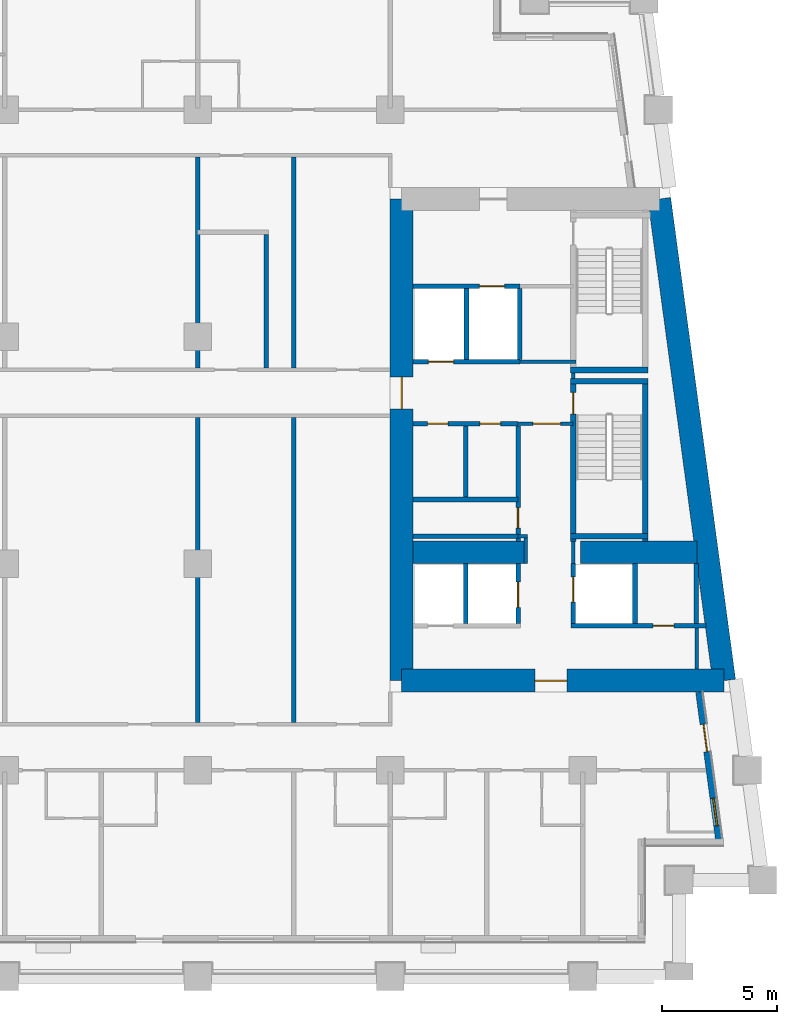
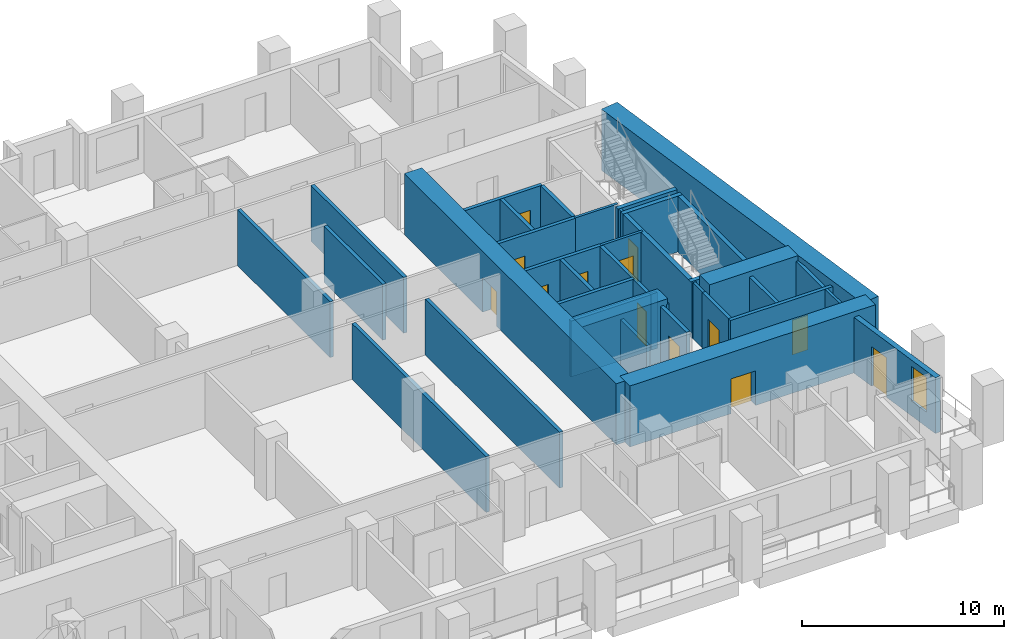
# One storey, part 5 of 13: 38 walls, 13 doors, 1 window, 14 openings.
"""IFC4 building model written with IfcOpenShell, lengths in metres."""

import ifcopenshell
import ifcopenshell.guid

model = None  # the IFC model being written
_history = None  # IfcOwnerHistory: only IFC2X3 demands one
_inside = {}  # id of a spatial element -> (the spatial element, [elements in it])
_under = {}  # id of a project, library or spatial element -> (it, [spatial elements below it])
_declared = {}  # id of a project -> (the project, [libraries it declares])
_typed = {}  # id of a type object -> (the type object, [elements of that type])
_made_of = {}  # id of a material, layer set ... -> (it, [elements and type objects made of it])


def new_model(schema):
    """Start an empty IFC model of exactly this schema.

    Asked for "IFC4X3", IfcOpenShell would pick the latest addendum, in which some entities
    have other attributes; the version numbers below select the first issue.
    IFC2X3 requires an IfcOwnerHistory on every rooted entity: one is made here for all.
    """
    global model, _history
    if schema == "IFC4X3":
        model = ifcopenshell.file(schema_version=(4, 3, 0, 0))
    else:
        model = ifcopenshell.file(schema=schema)
    _inside.clear()
    _under.clear()
    _declared.clear()
    _typed.clear()
    _made_of.clear()
    _history = None
    if model.schema == "IFC2X3":
        org = make("IfcOrganization", Name="unknown")
        user = make(
            "IfcPersonAndOrganization",
            ThePerson=make("IfcPerson", FamilyName="unknown"),
            TheOrganization=org,
        )
        app = make(
            "IfcApplication",
            ApplicationDeveloper=org,
            Version="unknown",
            ApplicationFullName="unknown",
            ApplicationIdentifier="unknown",
        )
        _history = make(
            "IfcOwnerHistory",
            OwningUser=user,
            OwningApplication=app,
            ChangeAction="ADDED",
            CreationDate=0,
        )
    return model


def make(cls, **values):
    """One entity of the class cls with the attributes given. An attribute that is None is left unset."""
    return model.create_entity(
        cls, **{name: value for name, value in values.items() if value is not None}
    )


def rooted(cls, **values):
    """An entity with a GlobalId (a new one), such as an element, a storey or a relation."""
    return make(cls, GlobalId=ifcopenshell.guid.new(), OwnerHistory=_history, **values)


def si_unit(unit_type, name, prefix=None):
    """IfcSIUnit, for example si_unit("LENGTHUNIT", "METRE", prefix="MILLI")."""
    return make("IfcSIUnit", UnitType=unit_type, Prefix=prefix, Name=name)


def assignment(units):
    """IfcUnitAssignment: the units of a project."""
    return None if units is None else make("IfcUnitAssignment", Units=units)


def point(xyz):
    """IfcCartesianPoint."""
    return None if xyz is None else make("IfcCartesianPoint", Coordinates=xyz)


def direction(xyz):
    """IfcDirection."""
    return None if xyz is None else make("IfcDirection", DirectionRatios=xyz)


def frame(location, z_axis=None, x_axis=None):
    """IfcAxis2Placement3D, a coordinate frame: its origin and axes. An axis left out is left unset."""
    return make(
        "IfcAxis2Placement3D",
        Location=point(location),
        Axis=direction(z_axis),
        RefDirection=direction(x_axis),
    )


def frame_2d(location, x_axis=None):
    """IfcAxis2Placement2D, a coordinate frame in the plane: its origin and x axis."""
    return make(
        "IfcAxis2Placement2D", Location=point(location), RefDirection=direction(x_axis)
    )


def origin():
    """The frame at (0, 0, 0) with its axes left unset."""
    return frame((0.0, 0.0, 0.0))


def place(relative_to, where):
    """IfcLocalPlacement: puts the frame where relative to a parent placement (None: the world)."""
    return make(
        "IfcLocalPlacement", PlacementRelTo=relative_to, RelativePlacement=where
    )


def context(
    kind, dimensions, precision=None, world=None, true_north=None, identifier=None
):
    """IfcGeometricRepresentationContext, for example the 3D "Model" context."""
    return make(
        "IfcGeometricRepresentationContext",
        ContextIdentifier=identifier,
        ContextType=kind,
        CoordinateSpaceDimension=dimensions,
        Precision=precision,
        WorldCoordinateSystem=world,
        TrueNorth=true_north,
    )


def subcontext(parent, identifier, kind, view, scale=None):
    """IfcGeometricRepresentationSubContext, for example "Body" below "Model"."""
    return make(
        "IfcGeometricRepresentationSubContext",
        ContextIdentifier=identifier,
        ContextType=kind,
        ParentContext=parent,
        TargetScale=scale,
        TargetView=view,
    )


def project(units=None, contexts=None):
    """IfcProject with its units and contexts."""
    return rooted(
        "IfcProject",
        Name="project",
        RepresentationContexts=contexts,
        UnitsInContext=assignment(units),
    )


def spatial(cls, under=None, at=None, **own):
    """A site, building, storey or space (cls), placed at a placement, below another one or the project."""
    s = rooted(cls, ObjectPlacement=at, **own)
    if under is not None:
        _under.setdefault(under.id(), (under, []))[1].append(s)
    return s


def profile(cls, at=None, kind="AREA", **sizes):
    """A parametric profile (cls). Its sizes go by their IFC names, for example OverallWidth=200.0."""
    return make(cls, ProfileType=kind, Position=at, **sizes)


def rectangle(**sizes):
    """IfcRectangleProfileDef."""
    return profile("IfcRectangleProfileDef", **sizes)


def extrude(swept, where, along, depth):
    """IfcExtrudedAreaSolid: the profile swept, set in the frame where, extruded along a direction by depth."""
    return make(
        "IfcExtrudedAreaSolid",
        SweptArea=swept,
        Position=where,
        ExtrudedDirection=direction(along),
        Depth=depth,
    )


def shape(context_of_items, identifier, shape_type, items):
    """IfcShapeRepresentation: the items that make up one representation, for example the "Body"."""
    return make(
        "IfcShapeRepresentation",
        ContextOfItems=context_of_items,
        RepresentationIdentifier=identifier,
        RepresentationType=shape_type,
        Items=items,
    )


def material(Name=None, Category=None):
    """IfcMaterial."""
    return make("IfcMaterial", Name=Name, Category=Category)


def layer(
    of_material, thickness, ventilated=None, Name=None, Category=None, Priority=None
):
    """IfcMaterialLayer: one layer of a wall or slab, of a material (None: an air gap)."""
    return make(
        "IfcMaterialLayer",
        Material=of_material,
        LayerThickness=thickness,
        IsVentilated=ventilated,
        Name=Name,
        Category=Category,
        Priority=Priority,
    )


def layer_set(layers, Name=None):
    """IfcMaterialLayerSet."""
    return make("IfcMaterialLayerSet", MaterialLayers=layers, LayerSetName=Name)


def made_of(thing, what):
    """Note that an element or type object is made of a material, layer set ...; save() writes the relation."""
    if what is not None:
        _made_of.setdefault(what.id(), (what, []))[1].append(thing)
    return thing


def type_object(cls, material=None, **own):
    """A type object (cls), such as IfcWallType, which elements share."""
    return made_of(rooted(cls, **own), material)


def element(
    cls,
    number,
    at=None,
    inside=None,
    cuts=None,
    type_object=None,
    material=None,
    context=None,
    identifier="Body",
    shape_type=None,
    held_by="IfcProductDefinitionShape",
    body=None,
    shapes=None,
    **own,
):
    """One element of the class cls, such as IfcWall. Its Tag is "e" and its number.

    at: its placement. inside: the storey or other place that contains it. cuts: it is an
    opening in that element (IfcRelVoidsElement). A single representation is given by context,
    identifier, shape_type and body (its items); several are given by shapes. held_by: the class
    of the entity that holds the representations. save() writes the other relations.
    """
    e = rooted(cls, Tag="e%d" % number, ObjectPlacement=at, **own)
    if body is not None:
        shapes = [shape(context, identifier, shape_type, body)]
    if shapes is not None:
        e.Representation = make(held_by, Representations=shapes)
    if inside is not None:
        _inside.setdefault(inside.id(), (inside, []))[1].append(e)
    if cuts is not None:
        rooted(
            "IfcRelVoidsElement", RelatingBuildingElement=cuts, RelatedOpeningElement=e
        )
    if type_object is not None:
        _typed.setdefault(type_object.id(), (type_object, []))[1].append(e)
    return made_of(e, material)


def fill(opening, filler):
    """IfcRelFillsElement: the door or window that sits in an opening."""
    return rooted(
        "IfcRelFillsElement",
        RelatingOpeningElement=opening,
        RelatedBuildingElement=filler,
    )


def aggregate(whole, parts):
    """IfcRelAggregates: a whole, such as a stair, and the parts it consists of."""
    return rooted("IfcRelAggregates", RelatingObject=whole, RelatedObjects=parts)


def save(model, path):
    """Write the relations noted so far, then the file.

    IfcRelAggregates (storeys below a building ...), IfcRelContainedInSpatialStructure (elements
    in a storey), IfcRelDefinesByType, IfcRelAssociatesMaterial and IfcRelDeclares: one each for
    every whole, place, type object, material and project.
    """
    for whole, parts in _under.values():
        aggregate(whole, parts)
    for where, things in _inside.values():
        rooted(
            "IfcRelContainedInSpatialStructure",
            RelatedElements=things,
            RelatingStructure=where,
        )
    for kind, things in _typed.values():
        rooted("IfcRelDefinesByType", RelatedObjects=things, RelatingType=kind)
    for what, things in _made_of.values():
        rooted("IfcRelAssociatesMaterial", RelatedObjects=things, RelatingMaterial=what)
    for by, libraries in _declared.values():
        rooted("IfcRelDeclares", RelatingContext=by, RelatedDefinitions=libraries)
    model.write(path)


model = new_model("IFC4")

# Units and contexts
model_context = context("Model", 3, precision=1e-05, world=origin(), true_north=direction((0.0, 1.0)))
body_context = subcontext(model_context, "Body", "Model", "MODEL_VIEW")
ifc_project = project(units=[si_unit("LENGTHUNIT", "METRE"), si_unit("AREAUNIT", "SQUARE_METRE"), si_unit("VOLUMEUNIT", "CUBIC_METRE"), si_unit("PLANEANGLEUNIT", "RADIAN"), si_unit("MASSUNIT", "GRAM", prefix="KILO")], contexts=[model_context])

# Site, building, storey
site_placement = place(None, origin())
site = spatial("IfcSite", under=ifc_project, at=site_placement, CompositionType="ELEMENT")
building_placement = place(site_placement, origin())
building = spatial("IfcBuilding", under=site, at=building_placement, Name="Candeia Pilgrim Tower and Theatre", CompositionType="ELEMENT")
storey_placement = place(building_placement, frame((0.0, 0.0, 128.0)))
storey = spatial("IfcBuildingStorey", under=building, at=storey_placement, Name="L30", CompositionType="ELEMENT", Elevation=128.0)

# Wall
ifc_material_1 = material(Name="Concrete C70/85", Category="concrete")
ifc_layer_1 = layer(ifc_material_1, 1.0)
ifc_layer_set_1 = layer_set([ifc_layer_1], Name="Core wall 1000 C70/85")
wall_type_1 = type_object("IfcWallType", Name="Core wall 1000 C70/85", PredefinedType="SHEAR", material=ifc_layer_set_1)
wall_1_placement = place(storey_placement, frame((137.73193359375, 131.89990234375, 0.0), z_axis=(0.0, 0.0, 1.0), x_axis=(0.133411141623, -0.991060778808, 0.0)))
element("IfcWall", 1, at=wall_1_placement, inside=storey, type_object=wall_type_1, Name="Core wall E2", PredefinedType="SHEAR", context=body_context, shape_type="SweptSolid", body=[
    extrude(rectangle(XDim=21.189453125, YDim=1.0, at=frame_2d((10.5947265625, 0.0))), origin(), (0.0, 0.0, 1.0), 3.699951171875),
])

# Wall, opening, door
wall_2_placement = place(storey_placement, frame((140.558837890625, 110.89990234375, 0.0), z_axis=(0.0, 0.0, 1.0), x_axis=(-1.0, 0.0, 0.0)))
wall_2 = element("IfcWall", 2, at=wall_2_placement, inside=storey, type_object=wall_type_1, Name="Core wall E3", PredefinedType="SHEAR", context=body_context, shape_type="SweptSolid", body=[
    extrude(rectangle(XDim=14.058837890625, YDim=1.0, at=frame_2d((7.029296875, 0.0))), origin(), (0.0, 0.0, 1.0), 3.699951171875),
])
opening_1_placement = place(wall_2_placement, frame((6.857666015625, 0.0, 0.0)))
opening_1 = element("IfcOpeningElement", 3, at=opening_1_placement, cuts=wall_2, Name="Opening L30-D059", PredefinedType="OPENING", context=body_context, shape_type="SweptSolid", body=[
    extrude(rectangle(XDim=1.39990234375, YDim=2.10009765625, at=frame_2d((0.699951171875, 1.050048828125))), frame((0.0, 0.510009765625, 0.0), z_axis=(0.0, -1.0, 0.0), x_axis=(1.0, 0.0, 0.0)), (0.0, 0.0, 1.0), 1.02001953125),
])
ifc_material_2 = material(Name="Steel fire door set", Category="steel")
door_type_1 = type_object("IfcDoorType", Name="D-1400-FD60", OperationType="NOTDEFINED", PredefinedType="DOOR", material=ifc_material_2)
door_1_placement = place(opening_1_placement, origin())
door_1 = element("IfcDoor", 4, at=door_1_placement, inside=storey, type_object=door_type_1, Name="Door L30-D059", OperationType="SINGLE_SWING_LEFT", OverallHeight=2.10009765625, OverallWidth=1.39990234375, PredefinedType="DOOR", context=body_context, shape_type="SweptSolid", body=[
    extrude(rectangle(XDim=1.39990234375, YDim=2.10009765625, at=frame_2d((0.699951171875, 1.050048828125))), frame((0.0, 0.02490234375, 0.0), z_axis=(0.0, -1.0, 0.0), x_axis=(1.0, 0.0, 0.0)), (0.0, 0.0, 1.0), 0.050048828125),
])
fill(opening_1, door_1)

wall_3_placement = place(storey_placement, frame((126.5, 110.89990234375, 0.0), z_axis=(0.0, 0.0, 1.0), x_axis=(0.0, 1.0, 0.0)))
wall_3 = element("IfcWall", 5, at=wall_3_placement, inside=storey, type_object=wall_type_1, Name="Core wall E4", PredefinedType="SHEAR", context=body_context, shape_type="SweptSolid", body=[
    extrude(rectangle(XDim=21.0, YDim=1.0, at=frame_2d((10.5, 0.0))), origin(), (0.0, 0.0, 1.0), 3.699951171875),
])
opening_2_placement = place(wall_3_placement, frame((11.85009765625, 0.0, 0.0)))
opening_2 = element("IfcOpeningElement", 6, at=opening_2_placement, cuts=wall_3, Name="Opening L30-D061", PredefinedType="OPENING", context=body_context, shape_type="SweptSolid", body=[
    extrude(rectangle(XDim=1.39990234375, YDim=2.10009765625, at=frame_2d((0.699951171875, 1.050048828125))), frame((0.0, 0.510009765625, 0.0), z_axis=(0.0, -1.0, 0.0), x_axis=(1.0, 0.0, 0.0)), (0.0, 0.0, 1.0), 1.02001953125),
])
door_2_placement = place(opening_2_placement, origin())
door_2 = element("IfcDoor", 7, at=door_2_placement, inside=storey, type_object=door_type_1, Name="Door L30-D061", OperationType="SINGLE_SWING_LEFT", OverallHeight=2.10009765625, OverallWidth=1.39990234375, PredefinedType="DOOR", context=body_context, shape_type="SweptSolid", body=[
    extrude(rectangle(XDim=1.39990234375, YDim=2.10009765625, at=frame_2d((0.699951171875, 1.050048828125))), frame((0.0, 0.02490234375, 0.0), z_axis=(0.0, -1.0, 0.0), x_axis=(1.0, 0.0, 0.0)), (0.0, 0.0, 1.0), 0.050048828125),
])
fill(opening_2, door_2)

# Walls
wall_4_placement = place(storey_placement, frame((127.0, 116.5, 0.0), z_axis=(0.0, 0.0, 1.0), x_axis=(1.0, 0.0, 0.0)))
element("IfcWall", 8, at=wall_4_placement, inside=storey, type_object=wall_type_1, Name="Core wall E5", PredefinedType="SHEAR", context=body_context, shape_type="SweptSolid", body=[
    extrude(rectangle(XDim=4.89990234375, YDim=1.0, at=frame_2d((2.449951171875, 0.0))), origin(), (0.0, 0.0, 1.0), 3.699951171875),
])
wall_5_placement = place(storey_placement, frame((134.300048828125, 116.5, 0.0), z_axis=(0.0, 0.0, 1.0), x_axis=(1.0, 0.0, 0.0)))
element("IfcWall", 9, at=wall_5_placement, inside=storey, type_object=wall_type_1, Name="Core wall E6", PredefinedType="SHEAR", context=body_context, shape_type="SweptSolid", body=[
    extrude(rectangle(XDim=5.076904296875, YDim=1.0, at=frame_2d((2.53857421875, 0.0))), origin(), (0.0, 0.0, 1.0), 3.699951171875),
])

# Wall, openings, door, window
ifc_material_3 = material(Name="Ceramic block masonry", Category="masonry")
ifc_layer_2 = layer(ifc_material_3, 0.300048828125)
ifc_layer_set_2 = layer_set([ifc_layer_2], Name="EW1 glazing-line wall 300")
wall_type_2 = type_object("IfcWallType", Name="EW1 glazing-line wall 300", PredefinedType="SOLIDWALL", material=ifc_layer_set_2)
wall_6_placement = place(storey_placement, frame((140.34765625, 103.85009765625, 0.0), z_axis=(0.0, 0.0, 1.0), x_axis=(-0.133431549479, 0.991058031401, 0.0)))
wall_6 = element("IfcWall", 10, at=wall_6_placement, inside=storey, type_object=wall_type_2, Name="External wall L30-3.0", PredefinedType="SOLIDWALL", context=body_context, shape_type="SweptSolid", body=[
    extrude(rectangle(XDim=6.60888671875, YDim=0.300048828125, at=frame_2d((3.304443359375, 0.0))), origin(), (0.0, 0.0, 1.0), 3.3798828125),
])
opening_3_placement = place(wall_6_placement, frame((0.736572265625, 0.0, 0.89990234375)))
opening_3 = element("IfcOpeningElement", 11, at=opening_3_placement, cuts=wall_6, Name="Opening W-B", PredefinedType="OPENING", context=body_context, shape_type="SweptSolid", body=[
    extrude(rectangle(XDim=1.199951171875, YDim=2.10009765625, at=frame_2d((0.60009765625, 1.050048828125))), frame((0.0, 0.16015625, 0.0), z_axis=(0.0, -1.0, 0.0), x_axis=(1.0, 0.0, 0.0)), (0.0, 0.0, 1.0), 0.320068359375),
])
opening_4_placement = place(wall_6_placement, frame((3.990966796875, 0.0, 0.0)))
opening_4 = element("IfcOpeningElement", 12, at=opening_4_placement, cuts=wall_6, Name="Opening L30-ED302", PredefinedType="OPENING", context=body_context, shape_type="SweptSolid", body=[
    extrude(rectangle(XDim=1.199951171875, YDim=2.39990234375, at=frame_2d((0.60009765625, 1.199951171875))), frame((0.0, 0.16015625, 0.0), z_axis=(0.0, -1.0, 0.0), x_axis=(1.0, 0.0, 0.0)), (0.0, 0.0, 1.0), 0.320068359375),
])
ifc_material_4 = material(Name="Aluminium framed glazed door", Category="aluminium")
door_type_2 = type_object("IfcDoorType", Name="Loggia door 1200x2400", OperationType="DOUBLE_DOOR_SINGLE_SWING", PredefinedType="DOOR", material=ifc_material_4)
door_3_placement = place(opening_4_placement, origin())
door_3 = element("IfcDoor", 13, at=door_3_placement, inside=storey, type_object=door_type_2, Name="Loggia door L30-ED302", OperationType="DOUBLE_DOOR_SINGLE_SWING", OverallHeight=2.39990234375, OverallWidth=1.199951171875, PredefinedType="DOOR", context=body_context, shape_type="SweptSolid", body=[
    extrude(rectangle(XDim=1.199951171875, YDim=2.39990234375, at=frame_2d((0.60009765625, 1.199951171875))), frame((0.0, 0.02490234375, 0.0), z_axis=(0.0, -1.0, 0.0), x_axis=(1.0, 0.0, 0.0)), (0.0, 0.0, 1.0), 0.050048828125),
])
fill(opening_4, door_3)
ifc_material_5 = material(Name="Aluminium framed double glazing", Category="aluminium")
window_type = type_object("IfcWindowType", Name="W-B window 1200x2100", PartitioningType="SINGLE_PANEL", PredefinedType="WINDOW", material=ifc_material_5)
window_placement = place(opening_3_placement, origin())
window = element("IfcWindow", 14, at=window_placement, inside=storey, type_object=window_type, Name="Window W-B L30", OverallHeight=2.10009765625, OverallWidth=1.199951171875, PartitioningType="SINGLE_PANEL", PredefinedType="WINDOW", context=body_context, shape_type="SweptSolid", body=[
    extrude(rectangle(XDim=1.199951171875, YDim=2.10009765625, at=frame_2d((0.60009765625, 1.050048828125))), frame((0.0, 0.030029296875, 0.0), z_axis=(0.0, -1.0, 0.0), x_axis=(1.0, 0.0, 0.0)), (0.0, 0.0, 1.0), 0.06005859375),
])
fill(opening_3, window)

# Wall
ifc_material_6 = material(Name="Gypsum board partition on steel studs", Category="steel")
ifc_layer_3 = layer(ifc_material_6, 0.14990234375)
ifc_layer_set_3 = layer_set([ifc_layer_3], Name="PW-150 lobby wall")
wall_type_3 = type_object("IfcWallType", Name="PW-150 lobby wall", PredefinedType="PARTITIONING", material=ifc_layer_set_3)
wall_7_placement = place(storey_placement, frame((131.572998046875, 117.199951171875, 0.0), z_axis=(0.0, 0.0, 1.0), x_axis=(1.0, 0.0, 0.0)))
element("IfcWall", 15, at=wall_7_placement, inside=storey, type_object=wall_type_3, Name="Lobby wall L30-018", PredefinedType="PARTITIONING", context=body_context, shape_type="SweptSolid", body=[
    extrude(rectangle(XDim=0.402099609375, YDim=0.14990234375, at=frame_2d((0.201171875, 0.0))), origin(), (0.0, 0.0, 1.0), 3.3798828125),
])

# Wall, opening, door
wall_8_placement = place(storey_placement, frame((131.572998046875, 122.10009765625, 0.0), z_axis=(0.0, 0.0, 1.0), x_axis=(1.0, 0.0, 0.0)))
wall_8 = element("IfcWall", 16, at=wall_8_placement, inside=storey, type_object=wall_type_3, Name="Lobby wall L30-026", PredefinedType="PARTITIONING", context=body_context, shape_type="SweptSolid", body=[
    extrude(rectangle(XDim=2.39990234375, YDim=0.14990234375, at=frame_2d((1.199951171875, 0.0))), origin(), (0.0, 0.0, 1.0), 3.3798828125),
])
opening_5_placement = place(wall_8_placement, frame((0.64990234375, 0.0, 0.0)))
opening_5 = element("IfcOpeningElement", 17, at=opening_5_placement, cuts=wall_8, Name="Opening L30-D010", PredefinedType="OPENING", context=body_context, shape_type="SweptSolid", body=[
    extrude(rectangle(XDim=1.199951171875, YDim=2.10009765625, at=frame_2d((0.60009765625, 1.050048828125))), frame((0.0, 0.0849609375, 0.0), z_axis=(0.0, -1.0, 0.0), x_axis=(1.0, 0.0, 0.0)), (0.0, 0.0, 1.0), 0.169921875),
])
door_type_3 = type_object("IfcDoorType", Name="D-1200-FD60", OperationType="NOTDEFINED", PredefinedType="DOOR", material=ifc_material_2)
door_4_placement = place(opening_5_placement, origin())
door_4 = element("IfcDoor", 18, at=door_4_placement, inside=storey, type_object=door_type_3, Name="Door L30-D010", OperationType="SINGLE_SWING_LEFT", OverallHeight=2.10009765625, OverallWidth=1.199951171875, PredefinedType="DOOR", context=body_context, shape_type="SweptSolid", body=[
    extrude(rectangle(XDim=1.199951171875, YDim=2.10009765625, at=frame_2d((0.60009765625, 1.050048828125))), frame((0.0, 0.02490234375, 0.0), z_axis=(0.0, -1.0, 0.0), x_axis=(1.0, 0.0, 0.0)), (0.0, 0.0, 1.0), 0.050048828125),
])
fill(opening_5, door_4)

# Walls
wall_9_placement = place(storey_placement, frame((131.648681640625, 124.800048828125, 0.0), z_axis=(0.0, 0.0, 1.0), x_axis=(1.0, 0.0, 0.0)))
element("IfcWall", 19, at=wall_9_placement, inside=storey, type_object=wall_type_3, Name="Lobby wall L30-035", PredefinedType="PARTITIONING", context=body_context, shape_type="SweptSolid", body=[
    extrude(rectangle(XDim=2.44921875, YDim=0.14990234375, at=frame_2d((1.224609375, 0.0))), origin(), (0.0, 0.0, 1.0), 3.3798828125),
])
wall_10_placement = place(storey_placement, frame((131.89990234375, 116.0, 0.0), z_axis=(0.0, 0.0, 1.0), x_axis=(0.0, 1.0, 0.0)))
element("IfcWall", 20, at=wall_10_placement, inside=storey, type_object=wall_type_3, Name="Lobby wall L30-107", PredefinedType="PARTITIONING", context=body_context, shape_type="SweptSolid", body=[
    extrude(rectangle(XDim=1.125, YDim=0.14990234375, at=frame_2d((0.5625, 0.0))), origin(), (0.0, 0.0, 1.0), 3.3798828125),
])
wall_11_placement = place(storey_placement, frame((133.972900390625, 116.0, 0.0), z_axis=(0.0, 0.0, 1.0), x_axis=(0.0, 1.0, 0.0)))
element("IfcWall", 21, at=wall_11_placement, inside=storey, type_object=wall_type_3, Name="Lobby wall L30-110", PredefinedType="PARTITIONING", context=body_context, shape_type="SweptSolid", body=[
    extrude(rectangle(XDim=0.969970703125, YDim=0.14990234375, at=frame_2d((0.48486328125, 0.0))), origin(), (0.0, 0.0, 1.0), 3.3798828125),
])
wall_12_placement = place(storey_placement, frame((133.972900390625, 124.074951171875, 0.0), z_axis=(0.0, 0.0, 1.0), x_axis=(0.0, 1.0, 0.0)))
element("IfcWall", 22, at=wall_12_placement, inside=storey, type_object=wall_type_3, Name="Lobby wall L30-111", PredefinedType="PARTITIONING", context=body_context, shape_type="SweptSolid", body=[
    extrude(rectangle(XDim=0.25, YDim=0.14990234375, at=frame_2d((0.125, 0.0))), origin(), (0.0, 0.0, 1.0), 3.3798828125),
])
wall_13_placement = place(storey_placement, frame((139.37109375, 111.39990234375, 0.0), z_axis=(0.0, 0.0, 1.0), x_axis=(0.0, 1.0, 0.0)))
element("IfcWall", 23, at=wall_13_placement, inside=storey, type_object=wall_type_3, Name="Lobby wall L30-120", PredefinedType="PARTITIONING", context=body_context, shape_type="SweptSolid", body=[
    extrude(rectangle(XDim=1.800048828125, YDim=0.14990234375, at=frame_2d((0.89990234375, 0.0))), origin(), (0.0, 0.0, 1.0), 3.3798828125),
])
ifc_layer_4 = layer(ifc_material_6, 0.199951171875)
ifc_layer_set_4 = layer_set([ifc_layer_4], Name="PW-200 party wall")
wall_type_4 = type_object("IfcWallType", Name="PW-200 party wall", PredefinedType="PARTITIONING", material=ifc_layer_set_4)
wall_14_placement = place(storey_placement, frame((117.60009765625, 109.074951171875, 0.0), z_axis=(0.0, 0.0, 1.0), x_axis=(0.0, 1.0, 0.0)))
element("IfcWall", 24, at=wall_14_placement, inside=storey, type_object=wall_type_4, Name="Party wall L30-086", PredefinedType="PARTITIONING", context=body_context, shape_type="SweptSolid", body=[
    extrude(rectangle(XDim=13.300048828125, YDim=0.199951171875, at=frame_2d((6.64990234375, 0.0))), origin(), (0.0, 0.0, 1.0), 3.3798828125),
])
wall_15_placement = place(storey_placement, frame((117.60009765625, 124.52490234375, 0.0), z_axis=(0.0, 0.0, 1.0), x_axis=(0.0, 1.0, 0.0)))
element("IfcWall", 25, at=wall_15_placement, inside=storey, type_object=wall_type_4, Name="Party wall L30-087", PredefinedType="PARTITIONING", context=body_context, shape_type="SweptSolid", body=[
    extrude(rectangle(XDim=9.2001953125, YDim=0.199951171875, at=frame_2d((4.60009765625, 0.0))), origin(), (0.0, 0.0, 1.0), 3.3798828125),
])
wall_16_placement = place(storey_placement, frame((120.60009765625, 124.52490234375, 0.0), z_axis=(0.0, 0.0, 1.0), x_axis=(0.0, 1.0, 0.0)))
element("IfcWall", 26, at=wall_16_placement, inside=storey, type_object=wall_type_4, Name="Party wall L30-090", PredefinedType="PARTITIONING", context=body_context, shape_type="SweptSolid", body=[
    extrude(rectangle(XDim=5.8251953125, YDim=0.199951171875, at=frame_2d((2.91259765625, 0.0))), origin(), (0.0, 0.0, 1.0), 3.3798828125),
])
wall_17_placement = place(storey_placement, frame((121.800048828125, 109.074951171875, 0.0), z_axis=(0.0, 0.0, 1.0), x_axis=(0.0, 1.0, 0.0)))
element("IfcWall", 27, at=wall_17_placement, inside=storey, type_object=wall_type_4, Name="Party wall L30-092", PredefinedType="PARTITIONING", context=body_context, shape_type="SweptSolid", body=[
    extrude(rectangle(XDim=13.300048828125, YDim=0.199951171875, at=frame_2d((6.64990234375, 0.0))), origin(), (0.0, 0.0, 1.0), 3.3798828125),
])
wall_18_placement = place(storey_placement, frame((121.800048828125, 124.52490234375, 0.0), z_axis=(0.0, 0.0, 1.0), x_axis=(0.0, 1.0, 0.0)))
element("IfcWall", 28, at=wall_18_placement, inside=storey, type_object=wall_type_4, Name="Party wall L30-093", PredefinedType="PARTITIONING", context=body_context, shape_type="SweptSolid", body=[
    extrude(rectangle(XDim=9.2001953125, YDim=0.199951171875, at=frame_2d((4.60009765625, 0.0))), origin(), (0.0, 0.0, 1.0), 3.3798828125),
])

# Wall, opening, door
ifc_material_7 = material(Name="Concrete C40/50", Category="concrete")
ifc_layer_5 = layer(ifc_material_7, 0.199951171875)
ifc_layer_set_5 = layer_set([ifc_layer_5], Name="SW-200 shaft wall")
wall_type_5 = type_object("IfcWallType", Name="SW-200 shaft wall", PredefinedType="PARTITIONING", material=ifc_layer_set_5)
wall_19_placement = place(storey_placement, frame((133.873046875, 113.300048828125, 0.0), z_axis=(0.0, 0.0, 1.0), x_axis=(1.0, 0.0, 0.0)))
wall_19 = element("IfcWall", 29, at=wall_19_placement, inside=storey, type_object=wall_type_5, Name="Shaft wall L30-014", PredefinedType="PARTITIONING", context=body_context, shape_type="SweptSolid", body=[
    extrude(rectangle(XDim=5.888427734375, YDim=0.199951171875, at=frame_2d((2.9443359375, 0.0))), origin(), (0.0, 0.0, 1.0), 3.3798828125),
])
opening_6_placement = place(wall_19_placement, frame((3.589111328125, 0.0, 0.0)))
opening_6 = element("IfcOpeningElement", 30, at=opening_6_placement, cuts=wall_19, Name="Opening L30-D016", PredefinedType="OPENING", context=body_context, shape_type="SweptSolid", body=[
    extrude(rectangle(XDim=0.89990234375, YDim=2.10009765625, at=frame_2d((0.449951171875, 1.050048828125))), frame((0.0, 0.10986328125, 0.0), z_axis=(0.0, -1.0, 0.0), x_axis=(1.0, 0.0, 0.0)), (0.0, 0.0, 1.0), 0.219970703125),
])
door_type_4 = type_object("IfcDoorType", Name="D-900-FD60", OperationType="NOTDEFINED", PredefinedType="DOOR", material=ifc_material_2)
door_5_placement = place(opening_6_placement, origin())
door_5 = element("IfcDoor", 31, at=door_5_placement, inside=storey, type_object=door_type_4, Name="Door L30-D016", OperationType="SINGLE_SWING_RIGHT", OverallHeight=2.10009765625, OverallWidth=0.89990234375, PredefinedType="DOOR", context=body_context, shape_type="SweptSolid", body=[
    extrude(rectangle(XDim=0.89990234375, YDim=2.10009765625, at=frame_2d((0.449951171875, 1.050048828125))), frame((0.0, 0.02490234375, 0.0), z_axis=(0.0, -1.0, 0.0), x_axis=(1.0, 0.0, 0.0)), (0.0, 0.0, 1.0), 0.050048828125),
])
fill(opening_6, door_5)

# Walls
for number, where, z_axis, x_axis, name in (
    (32, (127.0, 117.199951171875, 0.0), (0.0, 0.0, 1.0), (1.0, 0.0, 0.0), "Shaft wall L30-016"),
    (33, (127.0, 118.800048828125, 0.0), (0.0, 0.0, 1.0), (1.0, 0.0, 0.0), "Shaft wall L30-022"),
):
    element("IfcWall", number, at=place(storey_placement, frame(where, z_axis=z_axis, x_axis=x_axis)), inside=storey, type_object=wall_type_5, Name=name, PredefinedType="PARTITIONING", context=body_context, shape_type="SweptSolid", body=[
        extrude(rectangle(XDim=4.572998046875, YDim=0.199951171875, at=frame_2d((2.28662109375, 0.0))), origin(), (0.0, 0.0, 1.0), 3.3798828125),
    ])

# Wall, openings, doors
wall_20_placement = place(storey_placement, frame((127.0, 122.10009765625, 0.0), z_axis=(0.0, 0.0, 1.0), x_axis=(1.0, 0.0, 0.0)))
wall_20 = element("IfcWall", 34, at=wall_20_placement, inside=storey, type_object=wall_type_5, Name="Shaft wall L30-024", PredefinedType="PARTITIONING", context=body_context, shape_type="SweptSolid", body=[
    extrude(rectangle(XDim=4.572998046875, YDim=0.199951171875, at=frame_2d((2.28662109375, 0.0))), origin(), (0.0, 0.0, 1.0), 3.3798828125),
])
opening_7_placement = place(wall_20_placement, frame((2.910888671875, 0.0, 0.0)))
opening_7 = element("IfcOpeningElement", 35, at=opening_7_placement, cuts=wall_20, Name="Opening L30-D011", PredefinedType="OPENING", context=body_context, shape_type="SweptSolid", body=[
    extrude(rectangle(XDim=0.89990234375, YDim=2.10009765625, at=frame_2d((0.449951171875, 1.050048828125))), frame((0.0, 0.10986328125, 0.0), z_axis=(0.0, -1.0, 0.0), x_axis=(1.0, 0.0, 0.0)), (0.0, 0.0, 1.0), 0.219970703125),
])
opening_8_placement = place(wall_20_placement, frame((0.625, 0.0, 0.0)))
opening_8 = element("IfcOpeningElement", 36, at=opening_8_placement, cuts=wall_20, Name="Opening L30-D012", PredefinedType="OPENING", context=body_context, shape_type="SweptSolid", body=[
    extrude(rectangle(XDim=0.89990234375, YDim=2.10009765625, at=frame_2d((0.449951171875, 1.050048828125))), frame((0.0, 0.10986328125, 0.0), z_axis=(0.0, -1.0, 0.0), x_axis=(1.0, 0.0, 0.0)), (0.0, 0.0, 1.0), 0.219970703125),
])
door_6_placement = place(opening_7_placement, origin())
door_6 = element("IfcDoor", 37, at=door_6_placement, inside=storey, type_object=door_type_4, Name="Door L30-D011", OperationType="SINGLE_SWING_RIGHT", OverallHeight=2.10009765625, OverallWidth=0.89990234375, PredefinedType="DOOR", context=body_context, shape_type="SweptSolid", body=[
    extrude(rectangle(XDim=0.89990234375, YDim=2.10009765625, at=frame_2d((0.449951171875, 1.050048828125))), frame((0.0, 0.02490234375, 0.0), z_axis=(0.0, -1.0, 0.0), x_axis=(1.0, 0.0, 0.0)), (0.0, 0.0, 1.0), 0.050048828125),
])
fill(opening_7, door_6)
door_7_placement = place(opening_8_placement, origin())
door_7 = element("IfcDoor", 38, at=door_7_placement, inside=storey, type_object=door_type_4, Name="Door L30-D012", OperationType="SINGLE_SWING_LEFT", OverallHeight=2.10009765625, OverallWidth=0.89990234375, PredefinedType="DOOR", context=body_context, shape_type="SweptSolid", body=[
    extrude(rectangle(XDim=0.89990234375, YDim=2.10009765625, at=frame_2d((0.449951171875, 1.050048828125))), frame((0.0, 0.02490234375, 0.0), z_axis=(0.0, -1.0, 0.0), x_axis=(1.0, 0.0, 0.0)), (0.0, 0.0, 1.0), 0.050048828125),
])
fill(opening_8, door_7)

# Wall, opening, door
wall_21_placement = place(storey_placement, frame((127.0, 124.800048828125, 0.0), z_axis=(0.0, 0.0, 1.0), x_axis=(1.0, 0.0, 0.0)))
wall_21 = element("IfcWall", 39, at=wall_21_placement, inside=storey, type_object=wall_type_5, Name="Shaft wall L30-034", PredefinedType="PARTITIONING", context=body_context, shape_type="SweptSolid", body=[
    extrude(rectangle(XDim=4.648681640625, YDim=0.199951171875, at=frame_2d((2.32421875, 0.0))), origin(), (0.0, 0.0, 1.0), 3.3798828125),
])
opening_9_placement = place(wall_21_placement, frame((0.6650390625, 0.0, 0.0)))
opening_9 = element("IfcOpeningElement", 40, at=opening_9_placement, cuts=wall_21, Name="Opening L30-LD05", PredefinedType="OPENING", context=body_context, shape_type="SweptSolid", body=[
    extrude(rectangle(XDim=1.10009765625, YDim=2.10009765625, at=frame_2d((0.550048828125, 1.050048828125))), frame((0.0, 0.10986328125, 0.0), z_axis=(0.0, -1.0, 0.0), x_axis=(1.0, 0.0, 0.0)), (0.0, 0.0, 1.0), 0.219970703125),
])
ifc_material_8 = material(Name="Glazed aluminium landing door", Category="aluminium")
door_type_5 = type_object("IfcDoorType", Name="LD-1100-EI120", OperationType="SLIDING_TO_LEFT", PredefinedType="DOOR", material=ifc_material_8)
door_8_placement = place(opening_9_placement, origin())
door_8 = element("IfcDoor", 41, at=door_8_placement, inside=storey, type_object=door_type_5, Name="Landing door 05 L30", OperationType="SLIDING_TO_LEFT", OverallHeight=2.10009765625, OverallWidth=1.10009765625, PredefinedType="DOOR", context=body_context, shape_type="SweptSolid", body=[
    extrude(rectangle(XDim=1.10009765625, YDim=2.10009765625, at=frame_2d((0.550048828125, 1.050048828125))), frame((0.0, 0.02490234375, 0.0), z_axis=(0.0, -1.0, 0.0), x_axis=(1.0, 0.0, 0.0)), (0.0, 0.0, 1.0), 0.050048828125),
])
fill(opening_9, door_8)

wall_22_placement = place(storey_placement, frame((127.0, 128.10009765625, 0.0), z_axis=(0.0, 0.0, 1.0), x_axis=(1.0, 0.0, 0.0)))
wall_22 = element("IfcWall", 42, at=wall_22_placement, inside=storey, type_object=wall_type_5, Name="Shaft wall L30-037", PredefinedType="PARTITIONING", context=body_context, shape_type="SweptSolid", body=[
    extrude(rectangle(XDim=4.648681640625, YDim=0.199951171875, at=frame_2d((2.32421875, 0.0))), origin(), (0.0, 0.0, 1.0), 3.3798828125),
])
opening_10_placement = place(wall_22_placement, frame((2.884033203125, 0.0, 0.0)))
opening_10 = element("IfcOpeningElement", 43, at=opening_10_placement, cuts=wall_22, Name="Opening L30-LD04", PredefinedType="OPENING", context=body_context, shape_type="SweptSolid", body=[
    extrude(rectangle(XDim=1.10009765625, YDim=2.10009765625, at=frame_2d((0.550048828125, 1.050048828125))), frame((0.0, 0.10986328125, 0.0), z_axis=(0.0, -1.0, 0.0), x_axis=(1.0, 0.0, 0.0)), (0.0, 0.0, 1.0), 0.219970703125),
])
door_9_placement = place(opening_10_placement, origin())
door_9 = element("IfcDoor", 44, at=door_9_placement, inside=storey, type_object=door_type_5, Name="Landing door 04 L30", OperationType="SLIDING_TO_LEFT", OverallHeight=2.10009765625, OverallWidth=1.10009765625, PredefinedType="DOOR", context=body_context, shape_type="SweptSolid", body=[
    extrude(rectangle(XDim=1.10009765625, YDim=2.10009765625, at=frame_2d((0.550048828125, 1.050048828125))), frame((0.0, 0.02490234375, 0.0), z_axis=(0.0, -1.0, 0.0), x_axis=(1.0, 0.0, 0.0)), (0.0, 0.0, 1.0), 0.050048828125),
])
fill(opening_10, door_9)

# Walls
wall_23_placement = place(storey_placement, frame((129.28662109375, 113.39990234375, 0.0), z_axis=(0.0, 0.0, 1.0), x_axis=(0.0, 1.0, 0.0)))
element("IfcWall", 45, at=wall_23_placement, inside=storey, type_object=wall_type_5, Name="Shaft wall L30-100", PredefinedType="PARTITIONING", context=body_context, shape_type="SweptSolid", body=[
    extrude(rectangle(XDim=2.60009765625, YDim=0.199951171875, at=frame_2d((1.300048828125, 0.0))), origin(), (0.0, 0.0, 1.0), 3.3798828125),
])
for number, where, z_axis, x_axis, name in (
    (46, (129.28662109375, 118.89990234375, 0.0), (0.0, 0.0, 1.0), (0.0, 1.0, 0.0), "Shaft wall L30-101"),
    (47, (129.32421875, 124.89990234375, 0.0), (0.0, 0.0, 1.0), (0.0, 1.0, 0.0), "Shaft wall L30-102"),
):
    element("IfcWall", number, at=place(storey_placement, frame(where, z_axis=z_axis, x_axis=x_axis)), inside=storey, type_object=wall_type_5, Name=name, PredefinedType="PARTITIONING", context=body_context, shape_type="SweptSolid", body=[
        extrude(rectangle(XDim=3.10009765625, YDim=0.199951171875, at=frame_2d((1.550048828125, 0.0))), origin(), (0.0, 0.0, 1.0), 3.3798828125),
    ])

# Wall, opening, door
wall_24_placement = place(storey_placement, frame((131.572998046875, 113.39990234375, 0.0), z_axis=(0.0, 0.0, 1.0), x_axis=(0.0, 1.0, 0.0)))
wall_24 = element("IfcWall", 48, at=wall_24_placement, inside=storey, type_object=wall_type_5, Name="Shaft wall L30-104", PredefinedType="PARTITIONING", context=body_context, shape_type="SweptSolid", body=[
    extrude(rectangle(XDim=2.60009765625, YDim=0.199951171875, at=frame_2d((1.300048828125, 0.0))), origin(), (0.0, 0.0, 1.0), 3.3798828125),
])
opening_11_placement = place(wall_24_placement, frame((0.699951171875, 0.0, 0.0)))
opening_11 = element("IfcOpeningElement", 49, at=opening_11_placement, cuts=wall_24, Name="Opening L30-LD07", PredefinedType="OPENING", context=body_context, shape_type="SweptSolid", body=[
    extrude(rectangle(XDim=1.10009765625, YDim=2.10009765625, at=frame_2d((0.550048828125, 1.050048828125))), frame((0.0, 0.10986328125, 0.0), z_axis=(0.0, -1.0, 0.0), x_axis=(1.0, 0.0, 0.0)), (0.0, 0.0, 1.0), 0.219970703125),
])
door_10_placement = place(opening_11_placement, origin())
door_10 = element("IfcDoor", 50, at=door_10_placement, inside=storey, type_object=door_type_5, Name="Landing door 07 L30", OperationType="SLIDING_TO_LEFT", OverallHeight=2.10009765625, OverallWidth=1.10009765625, PredefinedType="DOOR", context=body_context, shape_type="SweptSolid", body=[
    extrude(rectangle(XDim=1.10009765625, YDim=2.10009765625, at=frame_2d((0.550048828125, 1.050048828125))), frame((0.0, 0.02490234375, 0.0), z_axis=(0.0, -1.0, 0.0), x_axis=(1.0, 0.0, 0.0)), (0.0, 0.0, 1.0), 0.050048828125),
])
fill(opening_11, door_10)

wall_25_placement = place(storey_placement, frame((131.572998046875, 116.969970703125, 0.0), z_axis=(0.0, 0.0, 1.0), x_axis=(0.0, 1.0, 0.0)))
wall_25 = element("IfcWall", 51, at=wall_25_placement, inside=storey, type_object=wall_type_5, Name="Shaft wall L30-105", PredefinedType="PARTITIONING", context=body_context, shape_type="SweptSolid", body=[
    extrude(rectangle(XDim=5.030029296875, YDim=0.199951171875, at=frame_2d((2.51513671875, 0.0))), origin(), (0.0, 0.0, 1.0), 3.3798828125),
])
opening_12_placement = place(wall_25_placement, frame((0.580078125, 0.0, 0.0)))
opening_12 = element("IfcOpeningElement", 52, at=opening_12_placement, cuts=wall_25, Name="Opening L30-D015", PredefinedType="OPENING", context=body_context, shape_type="SweptSolid", body=[
    extrude(rectangle(XDim=0.89990234375, YDim=2.10009765625, at=frame_2d((0.449951171875, 1.050048828125))), frame((0.0, 0.10986328125, 0.0), z_axis=(0.0, -1.0, 0.0), x_axis=(1.0, 0.0, 0.0)), (0.0, 0.0, 1.0), 0.219970703125),
])
door_11_placement = place(opening_12_placement, origin())
door_11 = element("IfcDoor", 53, at=door_11_placement, inside=storey, type_object=door_type_4, Name="Door L30-D015", OperationType="SINGLE_SWING_RIGHT", OverallHeight=2.10009765625, OverallWidth=0.89990234375, PredefinedType="DOOR", context=body_context, shape_type="SweptSolid", body=[
    extrude(rectangle(XDim=0.89990234375, YDim=2.10009765625, at=frame_2d((0.449951171875, 1.050048828125))), frame((0.0, 0.02490234375, 0.0), z_axis=(0.0, -1.0, 0.0), x_axis=(1.0, 0.0, 0.0)), (0.0, 0.0, 1.0), 0.050048828125),
])
fill(opening_12, door_11)

# Wall
wall_26_placement = place(storey_placement, frame((131.648681640625, 124.89990234375, 0.0), z_axis=(0.0, 0.0, 1.0), x_axis=(0.0, 1.0, 0.0)))
element("IfcWall", 54, at=wall_26_placement, inside=storey, type_object=wall_type_5, Name="Shaft wall L30-106", PredefinedType="PARTITIONING", context=body_context, shape_type="SweptSolid", body=[
    extrude(rectangle(XDim=3.10009765625, YDim=0.199951171875, at=frame_2d((1.550048828125, 0.0))), origin(), (0.0, 0.0, 1.0), 3.3798828125),
])

# Wall, opening, door
wall_27_placement = place(storey_placement, frame((133.972900390625, 113.39990234375, 0.0), z_axis=(0.0, 0.0, 1.0), x_axis=(0.0, 1.0, 0.0)))
wall_27 = element("IfcWall", 55, at=wall_27_placement, inside=storey, type_object=wall_type_5, Name="Shaft wall L30-109", PredefinedType="PARTITIONING", context=body_context, shape_type="SweptSolid", body=[
    extrude(rectangle(XDim=2.60009765625, YDim=0.199951171875, at=frame_2d((1.300048828125, 0.0))), origin(), (0.0, 0.0, 1.0), 3.3798828125),
])
opening_13_placement = place(wall_27_placement, frame((0.925048828125, 0.0, 0.0)))
opening_13 = element("IfcOpeningElement", 56, at=opening_13_placement, cuts=wall_27, Name="Opening L30-LD06", PredefinedType="OPENING", context=body_context, shape_type="SweptSolid", body=[
    extrude(rectangle(XDim=1.10009765625, YDim=2.10009765625, at=frame_2d((0.550048828125, 1.050048828125))), frame((0.0, 0.10986328125, 0.0), z_axis=(0.0, -1.0, 0.0), x_axis=(1.0, 0.0, 0.0)), (0.0, 0.0, 1.0), 0.219970703125),
])
door_12_placement = place(opening_13_placement, origin())
door_12 = element("IfcDoor", 57, at=door_12_placement, inside=storey, type_object=door_type_5, Name="Landing door 06 L30", OperationType="SLIDING_TO_LEFT", OverallHeight=2.10009765625, OverallWidth=1.10009765625, PredefinedType="DOOR", context=body_context, shape_type="SweptSolid", body=[
    extrude(rectangle(XDim=1.10009765625, YDim=2.10009765625, at=frame_2d((0.550048828125, 1.050048828125))), frame((0.0, 0.02490234375, 0.0), z_axis=(0.0, -1.0, 0.0), x_axis=(1.0, 0.0, 0.0)), (0.0, 0.0, 1.0), 0.050048828125),
])
fill(opening_13, door_12)

# Walls
for number, where, z_axis, x_axis, name in (
    (58, (136.672119140625, 113.39990234375, 0.0), (0.0, 0.0, 1.0), (0.0, 1.0, 0.0), "Shaft wall L30-115"),
    (59, (139.348876953125, 113.39990234375, 0.0), (0.0, 0.0, 1.0), (0.0, 1.0, 0.0), "Shaft wall L30-119"),
):
    element("IfcWall", number, at=place(storey_placement, frame(where, z_axis=z_axis, x_axis=x_axis)), inside=storey, type_object=wall_type_5, Name=name, PredefinedType="PARTITIONING", context=body_context, shape_type="SweptSolid", body=[
        extrude(rectangle(XDim=2.60009765625, YDim=0.199951171875, at=frame_2d((1.300048828125, 0.0))), origin(), (0.0, 0.0, 1.0), 3.3798828125),
    ])
ifc_layer_6 = layer(ifc_material_7, 0.25)
ifc_layer_set_6 = layer_set([ifc_layer_6], Name="SW-250 stair wall")
wall_type_6 = type_object("IfcWallType", Name="SW-250 stair wall", PredefinedType="PARTITIONING", material=ifc_layer_set_6)
for number, where, z_axis, x_axis, name in (
    (60, (133.847900390625, 117.199951171875, 0.0), (0.0, 0.0, 1.0), (1.0, 0.0, 0.0), "Stair wall L30-020"),
    (61, (133.847900390625, 123.949951171875, 0.0), (0.0, 0.0, 1.0), (1.0, 0.0, 0.0), "Stair wall L30-029"),
    (62, (133.847900390625, 124.449951171875, 0.0), (0.0, 0.0, 1.0), (1.0, 0.0, 0.0), "Stair wall L30-031"),
):
    element("IfcWall", number, at=place(storey_placement, frame(where, z_axis=z_axis, x_axis=x_axis)), inside=storey, type_object=wall_type_6, Name=name, PredefinedType="PARTITIONING", context=body_context, shape_type="SweptSolid", body=[
        extrude(rectangle(XDim=3.400146484375, YDim=0.25, at=frame_2d((1.7001953125, 0.0))), origin(), (0.0, 0.0, 1.0), 3.3798828125),
    ])

# Wall, opening, door
wall_28_placement = place(storey_placement, frame((133.972900390625, 116.969970703125, 0.0), z_axis=(0.0, 0.0, 1.0), x_axis=(0.0, 1.0, 0.0)))
wall_28 = element("IfcWall", 63, at=wall_28_placement, inside=storey, type_object=wall_type_6, Name="Stair wall L30-112", PredefinedType="PARTITIONING", context=body_context, shape_type="SweptSolid", body=[
    extrude(rectangle(XDim=6.85498046875, YDim=0.25, at=frame_2d((3.427490234375, 0.0))), origin(), (0.0, 0.0, 1.0), 3.3798828125),
])
opening_14_placement = place(wall_28_placement, frame((5.554931640625, 0.0, 0.0)))
opening_14 = element("IfcOpeningElement", 64, at=opening_14_placement, cuts=wall_28, Name="Opening L30-D013", PredefinedType="OPENING", context=body_context, shape_type="SweptSolid", body=[
    extrude(rectangle(XDim=0.949951171875, YDim=2.10009765625, at=frame_2d((0.47509765625, 1.050048828125))), frame((0.0, 0.135009765625, 0.0), z_axis=(0.0, -1.0, 0.0), x_axis=(1.0, 0.0, 0.0)), (0.0, 0.0, 1.0), 0.27001953125),
])
door_type_6 = type_object("IfcDoorType", Name="D-950-FD60", OperationType="NOTDEFINED", PredefinedType="DOOR", material=ifc_material_2)
door_13_placement = place(opening_14_placement, origin())
door_13 = element("IfcDoor", 65, at=door_13_placement, inside=storey, type_object=door_type_6, Name="Door L30-D013", OperationType="SINGLE_SWING_RIGHT", OverallHeight=2.10009765625, OverallWidth=0.949951171875, PredefinedType="DOOR", context=body_context, shape_type="SweptSolid", body=[
    extrude(rectangle(XDim=0.949951171875, YDim=2.10009765625, at=frame_2d((0.47509765625, 1.050048828125))), frame((0.0, 0.02490234375, 0.0), z_axis=(0.0, -1.0, 0.0), x_axis=(1.0, 0.0, 0.0)), (0.0, 0.0, 1.0), 0.050048828125),
])
fill(opening_14, door_13)

# Wall
wall_29_placement = place(storey_placement, frame((137.123046875, 116.969970703125, 0.0), z_axis=(0.0, 0.0, 1.0), x_axis=(0.0, 1.0, 0.0)))
element("IfcWall", 66, at=wall_29_placement, inside=storey, type_object=wall_type_6, Name="Stair wall L30-116", PredefinedType="PARTITIONING", context=body_context, shape_type="SweptSolid", body=[
    extrude(rectangle(XDim=6.85498046875, YDim=0.25, at=frame_2d((3.427490234375, 0.0))), origin(), (0.0, 0.0, 1.0), 3.3798828125),
])

save(model, "model.ifc")
